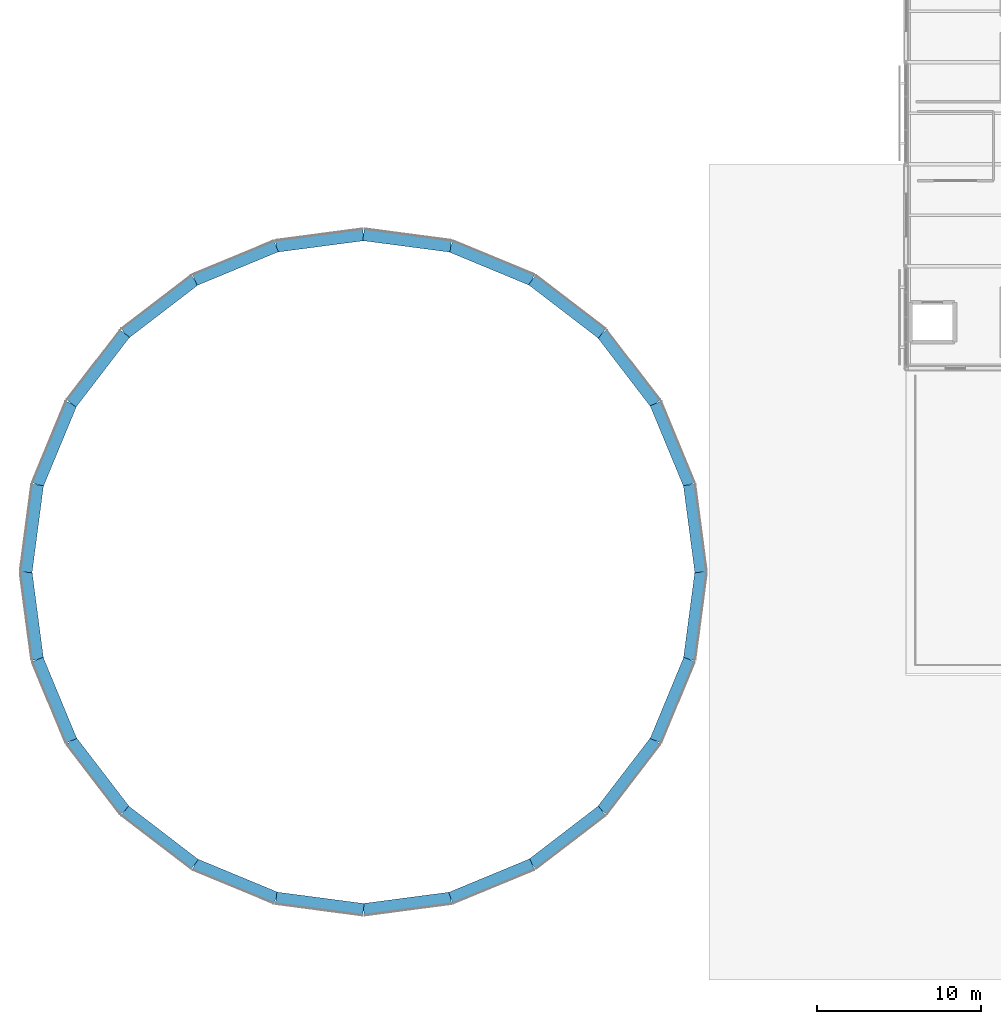
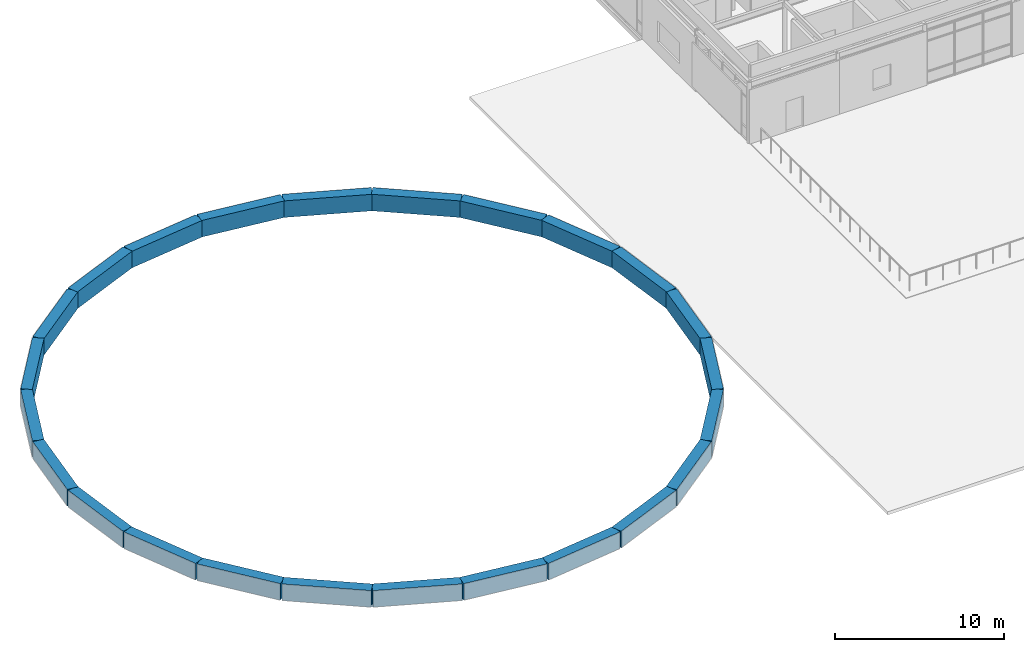
# One storey, part 5 of 16: 24 beams.
"""IFC4 building model written with IfcOpenShell, lengths in metres."""

from ifc_helpers import new_model, si_unit, direction, frame, origin, origin_2d, place, context, subcontext, project, spatial, rectangle, extrude, material, material_profile, profile_set, type_object, element, save


model = new_model("IFC4")

# Units and contexts
model_context = context("Model", 3, precision=1e-05, world=origin(), true_north=direction((0.0, 1.0)))
body_context = subcontext(model_context, "Body", "Model", "MODEL_VIEW")
ifc_project = project(units=[si_unit("LENGTHUNIT", "METRE"), si_unit("AREAUNIT", "SQUARE_METRE"), si_unit("VOLUMEUNIT", "CUBIC_METRE"), si_unit("PLANEANGLEUNIT", "RADIAN"), si_unit("MASSUNIT", "GRAM", prefix="KILO")], contexts=[model_context])

# Site, building, storey
site_placement = place(None, origin())
site = spatial("IfcSite", under=ifc_project, at=site_placement, CompositionType="ELEMENT")
building_placement = place(site_placement, origin())
building = spatial("IfcBuilding", under=site, at=building_placement, Name="Mirzam Square Science Centre", CompositionType="ELEMENT")
storey_placement = place(building_placement, frame((0.0, 0.0, 25.199951171875)))
storey = spatial("IfcBuildingStorey", under=building, at=storey_placement, Name="L05", CompositionType="ELEMENT", Elevation=25.199951171875)

# Beams
ifc_material = material(Name="Concrete C45/55", Category="concrete")
ifc_material_profile = material_profile(ifc_material, rectangle(XDim=0.699951171875, YDim=1.199951171875, at=origin_2d()), Name="RC700x1200")
ifc_profile_set = profile_set([ifc_material_profile], Name="Concrete C45/55")
beam_type = type_object("IfcBeamType", Name="BM-RING-RC", PredefinedType="BEAM", material=ifc_profile_set)
beam_1_placement = place(storey_placement, frame((101.5, 62.0, 0.60009765625), z_axis=(-0.130517056518, 0.991446064069, 0.0), x_axis=(-0.991446064069, -0.130517056518, 0.0)))
element("IfcBeam", 1, at=beam_1_placement, inside=storey, type_object=beam_type, Name="Planetarium dome tension ring beam 01", PredefinedType="BEAM", context=body_context, shape_type="SweptSolid", body=[
    extrude(rectangle(XDim=0.699951171875, YDim=1.199951171875, at=origin_2d()), origin(), (0.0, 0.0, 1.0), 5.351806640625),
])
for number, where, z_axis, x_axis, name in (
    (2, (100.801513671875, 67.305908203125, 0.60009765625), (-0.382713071139, 0.923867255172, 0.0), (-0.923867255172, -0.382713071139, 0.0), "Planetarium dome tension ring beam 02"),
    (3, (98.75341796875, 72.25, 0.60009765625), (-0.60876670321, 0.793349293227, 0.0), (-0.793349293227, -0.60876670321, 0.0), "Planetarium dome tension ring beam 03"),
    (4, (95.49560546875, 76.49560546875, 0.60009765625), (-0.793349293227, 0.60876670321, 0.0), (-0.60876670321, -0.793349293227, 0.0), "Planetarium dome tension ring beam 04"),
    (5, (91.25, 79.75341796875, 0.60009765625), (-0.923867255172, 0.382713071139, 0.0), (-0.382713071139, -0.923867255172, 0.0), "Planetarium dome tension ring beam 05"),
):
    element("IfcBeam", number, at=place(storey_placement, frame(where, z_axis=z_axis, x_axis=x_axis)), inside=storey, type_object=beam_type, Name=name, PredefinedType="BEAM", context=body_context, shape_type="SweptSolid", body=[
        extrude(rectangle(XDim=0.699951171875, YDim=1.199951171875, at=origin_2d()), origin(), (0.0, 0.0, 1.0), 5.3515625),
    ])
for number, where, z_axis, x_axis, name in (
    (6, (86.305908203125, 81.801513671875, 0.60009765625), (-0.991446064069, 0.130517056518, 0.0), (-0.130517056518, -0.991446064069, 0.0), "Planetarium dome tension ring beam 06"),
    (7, (81.0, 82.5, 0.60009765625), (-0.991446064069, -0.130517056518, 0.0), (0.130517056518, -0.991446064069, 0.0), "Planetarium dome tension ring beam 07"),
):
    element("IfcBeam", number, at=place(storey_placement, frame(where, z_axis=z_axis, x_axis=x_axis)), inside=storey, type_object=beam_type, Name=name, PredefinedType="BEAM", context=body_context, shape_type="SweptSolid", body=[
        extrude(rectangle(XDim=0.699951171875, YDim=1.199951171875, at=origin_2d()), origin(), (0.0, 0.0, 1.0), 5.351806640625),
    ])
for number, where, z_axis, x_axis, name in (
    (8, (75.694091796875, 81.801513671875, 0.60009765625), (-0.923867255172, -0.382713071139, 0.0), (0.382713071139, -0.923867255172, 0.0), "Planetarium dome tension ring beam 08"),
    (9, (70.75, 79.75341796875, 0.60009765625), (-0.793349293227, -0.60876670321, 0.0), (0.60876670321, -0.793349293227, 0.0), "Planetarium dome tension ring beam 09"),
    (10, (66.50439453125, 76.49560546875, 0.60009765625), (-0.60876670321, -0.793349293227, 0.0), (0.793349293227, -0.60876670321, 0.0), "Planetarium dome tension ring beam 10"),
    (11, (63.24658203125, 72.25, 0.60009765625), (-0.382713071139, -0.923867255172, 0.0), (0.923867255172, -0.382713071139, 0.0), "Planetarium dome tension ring beam 11"),
):
    element("IfcBeam", number, at=place(storey_placement, frame(where, z_axis=z_axis, x_axis=x_axis)), inside=storey, type_object=beam_type, Name=name, PredefinedType="BEAM", context=body_context, shape_type="SweptSolid", body=[
        extrude(rectangle(XDim=0.699951171875, YDim=1.199951171875, at=origin_2d()), origin(), (0.0, 0.0, 1.0), 5.3515625),
    ])
for number, where, z_axis, x_axis, name in (
    (12, (61.198486328125, 67.305908203125, 0.60009765625), (-0.130517056518, -0.991446064069, 0.0), (0.991446064069, -0.130517056518, 0.0), "Planetarium dome tension ring beam 12"),
    (13, (60.5, 62.0, 0.60009765625), (0.130517056518, -0.991446064069, 0.0), (0.991446064069, 0.130517056518, 0.0), "Planetarium dome tension ring beam 13"),
):
    element("IfcBeam", number, at=place(storey_placement, frame(where, z_axis=z_axis, x_axis=x_axis)), inside=storey, type_object=beam_type, Name=name, PredefinedType="BEAM", context=body_context, shape_type="SweptSolid", body=[
        extrude(rectangle(XDim=0.699951171875, YDim=1.199951171875, at=origin_2d()), origin(), (0.0, 0.0, 1.0), 5.351806640625),
    ])
for number, where, z_axis, x_axis, name in (
    (14, (61.198486328125, 56.694091796875, 0.60009765625), (0.382713071139, -0.923867255172, 0.0), (0.923867255172, 0.382713071139, 0.0), "Planetarium dome tension ring beam 14"),
    (15, (63.24658203125, 51.75, 0.60009765625), (0.60876670321, -0.793349293227, 0.0), (0.793349293227, 0.60876670321, 0.0), "Planetarium dome tension ring beam 15"),
    (16, (66.50439453125, 47.50439453125, 0.60009765625), (0.793349293227, -0.60876670321, 0.0), (0.60876670321, 0.793349293227, 0.0), "Planetarium dome tension ring beam 16"),
    (17, (70.75, 44.24658203125, 0.60009765625), (0.923867255172, -0.382713071139, 0.0), (0.382713071139, 0.923867255172, 0.0), "Planetarium dome tension ring beam 17"),
):
    element("IfcBeam", number, at=place(storey_placement, frame(where, z_axis=z_axis, x_axis=x_axis)), inside=storey, type_object=beam_type, Name=name, PredefinedType="BEAM", context=body_context, shape_type="SweptSolid", body=[
        extrude(rectangle(XDim=0.699951171875, YDim=1.199951171875, at=origin_2d()), origin(), (0.0, 0.0, 1.0), 5.3515625),
    ])
for number, where, z_axis, x_axis, name in (
    (18, (75.694091796875, 42.198486328125, 0.60009765625), (0.991446064069, -0.130517056518, 0.0), (0.130517056518, 0.991446064069, 0.0), "Planetarium dome tension ring beam 18"),
    (19, (81.0, 41.5, 0.60009765625), (0.991446064069, 0.130517056518, 0.0), (-0.130517056518, 0.991446064069, 0.0), "Planetarium dome tension ring beam 19"),
):
    element("IfcBeam", number, at=place(storey_placement, frame(where, z_axis=z_axis, x_axis=x_axis)), inside=storey, type_object=beam_type, Name=name, PredefinedType="BEAM", context=body_context, shape_type="SweptSolid", body=[
        extrude(rectangle(XDim=0.699951171875, YDim=1.199951171875, at=origin_2d()), origin(), (0.0, 0.0, 1.0), 5.351806640625),
    ])
for number, where, z_axis, x_axis, name in (
    (20, (86.305908203125, 42.198486328125, 0.60009765625), (0.923867255172, 0.382713071139, 0.0), (-0.382713071139, 0.923867255172, 0.0), "Planetarium dome tension ring beam 20"),
    (21, (91.25, 44.24658203125, 0.60009765625), (0.793349293227, 0.60876670321, 0.0), (-0.60876670321, 0.793349293227, 0.0), "Planetarium dome tension ring beam 21"),
    (22, (95.49560546875, 47.50439453125, 0.60009765625), (0.60876670321, 0.793349293227, 0.0), (-0.793349293227, 0.60876670321, 0.0), "Planetarium dome tension ring beam 22"),
    (23, (98.75341796875, 51.75, 0.60009765625), (0.382713071139, 0.923867255172, 0.0), (-0.923867255172, 0.382713071139, 0.0), "Planetarium dome tension ring beam 23"),
):
    element("IfcBeam", number, at=place(storey_placement, frame(where, z_axis=z_axis, x_axis=x_axis)), inside=storey, type_object=beam_type, Name=name, PredefinedType="BEAM", context=body_context, shape_type="SweptSolid", body=[
        extrude(rectangle(XDim=0.699951171875, YDim=1.199951171875, at=origin_2d()), origin(), (0.0, 0.0, 1.0), 5.3515625),
    ])
beam_2_placement = place(storey_placement, frame((100.801513671875, 56.694091796875, 0.60009765625), z_axis=(0.130517056518, 0.991446064069, 0.0), x_axis=(-0.991446064069, 0.130517056518, 0.0)))
element("IfcBeam", 24, at=beam_2_placement, inside=storey, type_object=beam_type, Name="Planetarium dome tension ring beam 24", PredefinedType="BEAM", context=body_context, shape_type="SweptSolid", body=[
    extrude(rectangle(XDim=0.699951171875, YDim=1.199951171875, at=origin_2d()), origin(), (0.0, 0.0, 1.0), 5.351806640625),
])

save(model, "model.ifc")
